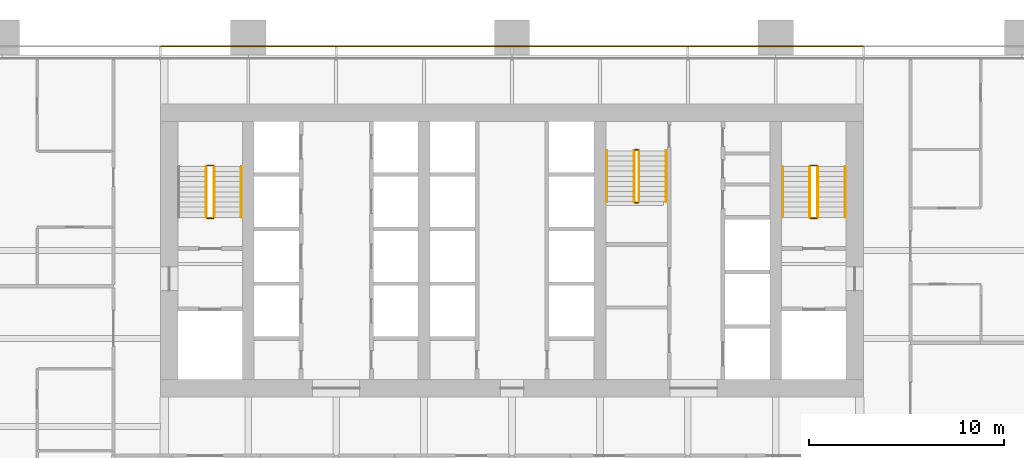
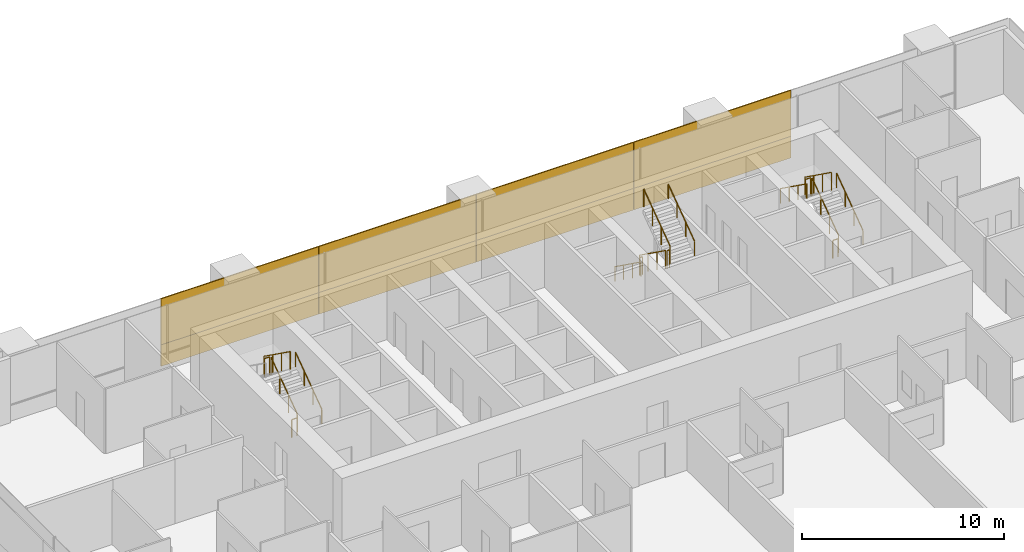
# One storey, part 19 of 20: 17 railings, 8 coverings.
"""IFC4 building model written with IfcOpenShell, lengths in metres."""

from ifc_helpers import new_model, si_unit, direction, frame, origin, origin_2d, place, context, subcontext, project, spatial, rectangle, extrude, material, layer, layer_set, type_object, element, save


model = new_model("IFC4")

# Units and contexts
model_context = context("Model", 3, precision=1e-05, world=origin(), true_north=direction((0.0, 1.0)))
body_context = subcontext(model_context, "Body", "Model", "MODEL_VIEW")
ifc_project = project(units=[si_unit("LENGTHUNIT", "METRE"), si_unit("AREAUNIT", "SQUARE_METRE"), si_unit("VOLUMEUNIT", "CUBIC_METRE"), si_unit("PLANEANGLEUNIT", "RADIAN"), si_unit("MASSUNIT", "GRAM", prefix="KILO")], contexts=[model_context])

# Site, building, storey
site_placement = place(None, origin())
site = spatial("IfcSite", under=ifc_project, at=site_placement, CompositionType="ELEMENT")
building_placement = place(site_placement, origin())
building = spatial("IfcBuilding", under=site, at=building_placement, Name="Rattan Terrace Tower", CompositionType="ELEMENT")
storey_placement = place(building_placement, frame((0.0, 0.0, 40.60009765625)))
storey = spatial("IfcBuildingStorey", under=building, at=storey_placement, Name="L08", CompositionType="ELEMENT", Elevation=40.60009765625)

# Railings
ifc_material_1 = material(Name="Powder-coated steel guard", Category="steel")
railing_type_1 = type_object("IfcRailingType", Name="Core stair guard", PredefinedType="GUARDRAIL", material=ifc_material_1)
railing_1_placement = place(storey_placement, frame((-15.25, 1.699951171875, 0.186279296875)))
element("IfcRailing", 1, at=railing_1_placement, inside=storey, type_object=railing_type_1, Name="L08 S1 stair guard 1", PredefinedType="GUARDRAIL", context=body_context, shape_type="SweptSolid", body=[
    extrude(rectangle(XDim=0.048095703125, YDim=0.048095703125, at=origin_2d()), frame((0.0, 0.0, 1.076171875), z_axis=(0.0, 0.812799059333, 0.582544152102), x_axis=(-1.0, 0.0, 0.0)), (0.0, 0.0, 1.0), 3.198974609375),
    extrude(rectangle(XDim=0.0419921875, YDim=0.0419921875, at=origin_2d()), origin(), (0.0, 0.0, 1.0), 1.052001953125),
    extrude(rectangle(XDim=0.0419921875, YDim=0.0419921875, at=origin_2d()), frame((0.0, 0.86669921875, 0.62109375)), (0.0, 0.0, 1.0), 1.052001953125),
    extrude(rectangle(XDim=0.0419921875, YDim=0.0419921875, at=origin_2d()), frame((0.0, 1.7333984375, 1.242431640625)), (0.0, 0.0, 1.0), 1.052001953125),
    extrude(rectangle(XDim=0.0419921875, YDim=0.0419921875, at=origin_2d()), frame((0.0, 2.60009765625, 1.863525390625)), (0.0, 0.0, 1.0), 1.052001953125),
])
railing_2_placement = place(storey_placement, frame((-15.300048828125, 4.35009765625, 2.0498046875)))
element("IfcRailing", 2, at=railing_2_placement, inside=storey, type_object=railing_type_1, Name="L08 S1 stair guard 2", PredefinedType="GUARDRAIL", context=body_context, shape_type="SweptSolid", body=[
    extrude(rectangle(XDim=0.048095703125, YDim=0.048095703125, at=origin_2d()), frame((0.0, 0.0, 1.076171875), z_axis=(-1.0, 0.0, 0.0), x_axis=(0.0, -1.0, 0.0)), (0.0, 0.0, 1.0), 0.300048828125),
    extrude(rectangle(XDim=0.0419921875, YDim=0.0419921875, at=origin_2d()), origin(), (0.0, 0.0, 1.0), 1.052001953125),
    extrude(rectangle(XDim=0.0419921875, YDim=0.0419921875, at=origin_2d()), frame((-0.300048828125, 0.0, 0.0)), (0.0, 0.0, 1.0), 1.052001953125),
])
railing_3_placement = place(storey_placement, frame((-15.64990234375, 4.300048828125, 2.236328125)))
element("IfcRailing", 3, at=railing_3_placement, inside=storey, type_object=railing_type_1, Name="L08 S1 stair guard 3", PredefinedType="GUARDRAIL", context=body_context, shape_type="SweptSolid", body=[
    extrude(rectangle(XDim=0.048095703125, YDim=0.048095703125, at=origin_2d()), frame((0.0, 0.0, 1.076171875), z_axis=(0.0, -0.812799059333, 0.582544152102), x_axis=(1.0, 0.0, 0.0)), (0.0, 0.0, 1.0), 3.198974609375),
    extrude(rectangle(XDim=0.0419921875, YDim=0.0419921875, at=origin_2d()), origin(), (0.0, 0.0, 1.0), 1.052001953125),
    extrude(rectangle(XDim=0.0419921875, YDim=0.0419921875, at=origin_2d()), frame((0.0, -0.86669921875, 0.62109375)), (0.0, 0.0, 1.0), 1.052001953125),
    extrude(rectangle(XDim=0.0419921875, YDim=0.0419921875, at=origin_2d()), frame((0.0, -1.7333984375, 1.242431640625)), (0.0, 0.0, 1.0), 1.052001953125),
    extrude(rectangle(XDim=0.0419921875, YDim=0.0419921875, at=origin_2d()), frame((0.0, -2.60009765625, 1.863525390625)), (0.0, 0.0, 1.0), 1.052001953125),
])
railing_4_placement = place(storey_placement, frame((-15.300048828125, 1.64990234375, 0.0)))
element("IfcRailing", 4, at=railing_4_placement, inside=storey, type_object=railing_type_1, Name="L08 S1 stair guard 4", PredefinedType="GUARDRAIL", context=body_context, shape_type="SweptSolid", body=[
    extrude(rectangle(XDim=0.048095703125, YDim=0.048095703125, at=origin_2d()), frame((0.0, 0.0, 1.076171875), z_axis=(-1.0, 0.0, 0.0), x_axis=(0.0, -1.0, 0.0)), (0.0, 0.0, 1.0), 0.300048828125),
    extrude(rectangle(XDim=0.0419921875, YDim=0.0419921875, at=origin_2d()), origin(), (0.0, 0.0, 1.0), 1.052001953125),
    extrude(rectangle(XDim=0.0419921875, YDim=0.0419921875, at=origin_2d()), frame((-0.300048828125, 0.0, 0.0)), (0.0, 0.0, 1.0), 1.052001953125),
])
railing_5_placement = place(storey_placement, frame((15.64990234375, 1.699951171875, 0.186279296875)))
element("IfcRailing", 5, at=railing_5_placement, inside=storey, type_object=railing_type_1, Name="L08 S2 stair guard 1", PredefinedType="GUARDRAIL", context=body_context, shape_type="SweptSolid", body=[
    extrude(rectangle(XDim=0.048095703125, YDim=0.048095703125, at=origin_2d()), frame((0.0, 0.0, 1.076171875), z_axis=(0.0, 0.812799059333, 0.582544152102), x_axis=(-1.0, 0.0, 0.0)), (0.0, 0.0, 1.0), 3.198974609375),
    extrude(rectangle(XDim=0.0419921875, YDim=0.0419921875, at=origin_2d()), origin(), (0.0, 0.0, 1.0), 1.052001953125),
    extrude(rectangle(XDim=0.0419921875, YDim=0.0419921875, at=origin_2d()), frame((0.0, 0.86669921875, 0.62109375)), (0.0, 0.0, 1.0), 1.052001953125),
    extrude(rectangle(XDim=0.0419921875, YDim=0.0419921875, at=origin_2d()), frame((0.0, 1.7333984375, 1.242431640625)), (0.0, 0.0, 1.0), 1.052001953125),
    extrude(rectangle(XDim=0.0419921875, YDim=0.0419921875, at=origin_2d()), frame((0.0, 2.60009765625, 1.863525390625)), (0.0, 0.0, 1.0), 1.052001953125),
])
railing_6_placement = place(storey_placement, frame((15.60009765625, 4.35009765625, 2.0498046875)))
element("IfcRailing", 6, at=railing_6_placement, inside=storey, type_object=railing_type_1, Name="L08 S2 stair guard 2", PredefinedType="GUARDRAIL", context=body_context, shape_type="SweptSolid", body=[
    extrude(rectangle(XDim=0.048095703125, YDim=0.048095703125, at=origin_2d()), frame((0.0, 0.0, 1.076171875), z_axis=(-1.0, 0.0, 0.0), x_axis=(0.0, -1.0, 0.0)), (0.0, 0.0, 1.0), 0.300048828125),
    extrude(rectangle(XDim=0.0419921875, YDim=0.0419921875, at=origin_2d()), origin(), (0.0, 0.0, 1.0), 1.052001953125),
    extrude(rectangle(XDim=0.0419921875, YDim=0.0419921875, at=origin_2d()), frame((-0.300048828125, 0.0, 0.0)), (0.0, 0.0, 1.0), 1.052001953125),
])
railing_7_placement = place(storey_placement, frame((15.25, 4.300048828125, 2.236328125)))
element("IfcRailing", 7, at=railing_7_placement, inside=storey, type_object=railing_type_1, Name="L08 S2 stair guard 3", PredefinedType="GUARDRAIL", context=body_context, shape_type="SweptSolid", body=[
    extrude(rectangle(XDim=0.048095703125, YDim=0.048095703125, at=origin_2d()), frame((0.0, 0.0, 1.076171875), z_axis=(0.0, -0.812799059333, 0.582544152102), x_axis=(1.0, 0.0, 0.0)), (0.0, 0.0, 1.0), 3.198974609375),
    extrude(rectangle(XDim=0.0419921875, YDim=0.0419921875, at=origin_2d()), origin(), (0.0, 0.0, 1.0), 1.052001953125),
    extrude(rectangle(XDim=0.0419921875, YDim=0.0419921875, at=origin_2d()), frame((0.0, -0.86669921875, 0.62109375)), (0.0, 0.0, 1.0), 1.052001953125),
    extrude(rectangle(XDim=0.0419921875, YDim=0.0419921875, at=origin_2d()), frame((0.0, -1.7333984375, 1.242431640625)), (0.0, 0.0, 1.0), 1.052001953125),
    extrude(rectangle(XDim=0.0419921875, YDim=0.0419921875, at=origin_2d()), frame((0.0, -2.60009765625, 1.863525390625)), (0.0, 0.0, 1.0), 1.052001953125),
])
railing_8_placement = place(storey_placement, frame((15.60009765625, 1.64990234375, 0.0)))
element("IfcRailing", 8, at=railing_8_placement, inside=storey, type_object=railing_type_1, Name="L08 S2 stair guard 4", PredefinedType="GUARDRAIL", context=body_context, shape_type="SweptSolid", body=[
    extrude(rectangle(XDim=0.048095703125, YDim=0.048095703125, at=origin_2d()), frame((0.0, 0.0, 1.076171875), z_axis=(-1.0, 0.0, 0.0), x_axis=(0.0, -1.0, 0.0)), (0.0, 0.0, 1.0), 0.300048828125),
    extrude(rectangle(XDim=0.0419921875, YDim=0.0419921875, at=origin_2d()), origin(), (0.0, 0.0, 1.0), 1.052001953125),
    extrude(rectangle(XDim=0.0419921875, YDim=0.0419921875, at=origin_2d()), frame((-0.300048828125, 0.0, 0.0)), (0.0, 0.0, 1.0), 1.052001953125),
])
railing_9_placement = place(storey_placement, frame((6.25, 5.10009765625, 0.186279296875)))
element("IfcRailing", 9, at=railing_9_placement, inside=storey, type_object=railing_type_1, Name="L08 S3 stair guard 1", PredefinedType="GUARDRAIL", context=body_context, shape_type="SweptSolid", body=[
    extrude(rectangle(XDim=0.048095703125, YDim=0.048095703125, at=origin_2d()), frame((0.0, 0.0, 1.076171875), z_axis=(0.0, -0.812799059333, 0.582544152102), x_axis=(1.0, 0.0, 0.0)), (0.0, 0.0, 1.0), 3.198974609375),
    extrude(rectangle(XDim=0.0419921875, YDim=0.0419921875, at=origin_2d()), origin(), (0.0, 0.0, 1.0), 1.052001953125),
    extrude(rectangle(XDim=0.0419921875, YDim=0.0419921875, at=origin_2d()), frame((0.0, -0.86669921875, 0.62109375)), (0.0, 0.0, 1.0), 1.052001953125),
    extrude(rectangle(XDim=0.0419921875, YDim=0.0419921875, at=origin_2d()), frame((0.0, -1.7333984375, 1.242431640625)), (0.0, 0.0, 1.0), 1.052001953125),
    extrude(rectangle(XDim=0.0419921875, YDim=0.0419921875, at=origin_2d()), frame((0.0, -2.60009765625, 1.863525390625)), (0.0, 0.0, 1.0), 1.052001953125),
])
railing_10_placement = place(storey_placement, frame((6.300048828125, 2.449951171875, 2.0498046875)))
element("IfcRailing", 10, at=railing_10_placement, inside=storey, type_object=railing_type_1, Name="L08 S3 stair guard 2", PredefinedType="GUARDRAIL", context=body_context, shape_type="SweptSolid", body=[
    extrude(rectangle(XDim=0.048095703125, YDim=0.048095703125, at=origin_2d()), frame((0.0, 0.0, 1.076171875), z_axis=(1.0, 0.0, 0.0), x_axis=(0.0, 1.0, 0.0)), (0.0, 0.0, 1.0), 0.14990234375),
    extrude(rectangle(XDim=0.0419921875, YDim=0.0419921875, at=origin_2d()), origin(), (0.0, 0.0, 1.0), 1.052001953125),
    extrude(rectangle(XDim=0.0419921875, YDim=0.0419921875, at=origin_2d()), frame((0.14990234375, 0.0, 0.0)), (0.0, 0.0, 1.0), 1.052001953125),
])
railing_11_placement = place(storey_placement, frame((6.5, 2.5, 2.236328125)))
element("IfcRailing", 11, at=railing_11_placement, inside=storey, type_object=railing_type_1, Name="L08 S3 stair guard 3", PredefinedType="GUARDRAIL", context=body_context, shape_type="SweptSolid", body=[
    extrude(rectangle(XDim=0.048095703125, YDim=0.048095703125, at=origin_2d()), frame((0.0, 0.0, 1.076171875), z_axis=(0.0, 0.812799059333, 0.582544152102), x_axis=(-1.0, 0.0, 0.0)), (0.0, 0.0, 1.0), 3.198974609375),
    extrude(rectangle(XDim=0.0419921875, YDim=0.0419921875, at=origin_2d()), origin(), (0.0, 0.0, 1.0), 1.052001953125),
    extrude(rectangle(XDim=0.0419921875, YDim=0.0419921875, at=origin_2d()), frame((0.0, 0.86669921875, 0.62109375)), (0.0, 0.0, 1.0), 1.052001953125),
    extrude(rectangle(XDim=0.0419921875, YDim=0.0419921875, at=origin_2d()), frame((0.0, 1.7333984375, 1.242431640625)), (0.0, 0.0, 1.0), 1.052001953125),
    extrude(rectangle(XDim=0.0419921875, YDim=0.0419921875, at=origin_2d()), frame((0.0, 2.60009765625, 1.863525390625)), (0.0, 0.0, 1.0), 1.052001953125),
])
railing_12_placement = place(storey_placement, frame((6.300048828125, 5.14990234375, 0.0)))
element("IfcRailing", 12, at=railing_12_placement, inside=storey, type_object=railing_type_1, Name="L08 S3 stair guard 4", PredefinedType="GUARDRAIL", context=body_context, shape_type="SweptSolid", body=[
    extrude(rectangle(XDim=0.048095703125, YDim=0.048095703125, at=origin_2d()), frame((0.0, 0.0, 1.076171875), z_axis=(1.0, 0.0, 0.0), x_axis=(0.0, 1.0, 0.0)), (0.0, 0.0, 1.0), 0.14990234375),
    extrude(rectangle(XDim=0.0419921875, YDim=0.0419921875, at=origin_2d()), origin(), (0.0, 0.0, 1.0), 1.052001953125),
    extrude(rectangle(XDim=0.0419921875, YDim=0.0419921875, at=origin_2d()), frame((0.14990234375, 0.0, 0.0)), (0.0, 0.0, 1.0), 1.052001953125),
])
ifc_material_2 = material(Name="Powder-coated steel handrail", Category="steel")
railing_type_2 = type_object("IfcRailingType", Name="Core stair handrail", PredefinedType="HANDRAIL", material=ifc_material_2)
for number, where, name in (
    (13, (-13.85009765625, 1.699951171875, 0.186279296875), "L08 S1 stair handrail 1"),
    (14, (17.050048828125, 1.699951171875, 0.186279296875), "L08 S2 stair handrail 1"),
):
    element("IfcRailing", number, at=place(storey_placement, frame(where)), inside=storey, type_object=railing_type_2, Name=name, PredefinedType="HANDRAIL", context=body_context, shape_type="SweptSolid", body=[
        extrude(rectangle(XDim=0.048095703125, YDim=0.048095703125, at=origin_2d()), frame((0.0, 0.0, 0.8759765625), z_axis=(0.0, 0.812799059333, 0.582544152102), x_axis=(-1.0, 0.0, 0.0)), (0.0, 0.0, 1.0), 3.198974609375),
        extrude(rectangle(XDim=0.0419921875, YDim=0.0419921875, at=origin_2d()), origin(), (0.0, 0.0, 1.0), 0.851806640625),
        extrude(rectangle(XDim=0.0419921875, YDim=0.0419921875, at=origin_2d()), frame((0.0, 0.86669921875, 0.62109375)), (0.0, 0.0, 1.0), 0.851806640625),
        extrude(rectangle(XDim=0.0419921875, YDim=0.0419921875, at=origin_2d()), frame((0.0, 1.7333984375, 1.242431640625)), (0.0, 0.0, 1.0), 0.851806640625),
        extrude(rectangle(XDim=0.0419921875, YDim=0.0419921875, at=origin_2d()), frame((0.0, 2.60009765625, 1.863525390625)), (0.0, 0.0, 1.0), 0.851806640625),
    ])
for number, where, name in (
    (15, (13.85009765625, 4.300048828125, 2.236328125), "L08 S2 stair handrail 2"),
    (16, (4.85009765625, 5.10009765625, 0.186279296875), "L08 S3 stair handrail 1"),
):
    element("IfcRailing", number, at=place(storey_placement, frame(where)), inside=storey, type_object=railing_type_2, Name=name, PredefinedType="HANDRAIL", context=body_context, shape_type="SweptSolid", body=[
        extrude(rectangle(XDim=0.048095703125, YDim=0.048095703125, at=origin_2d()), frame((0.0, 0.0, 0.8759765625), z_axis=(0.0, -0.812799059333, 0.582544152102), x_axis=(1.0, 0.0, 0.0)), (0.0, 0.0, 1.0), 3.198974609375),
        extrude(rectangle(XDim=0.0419921875, YDim=0.0419921875, at=origin_2d()), origin(), (0.0, 0.0, 1.0), 0.851806640625),
        extrude(rectangle(XDim=0.0419921875, YDim=0.0419921875, at=origin_2d()), frame((0.0, -0.86669921875, 0.62109375)), (0.0, 0.0, 1.0), 0.851806640625),
        extrude(rectangle(XDim=0.0419921875, YDim=0.0419921875, at=origin_2d()), frame((0.0, -1.7333984375, 1.242431640625)), (0.0, 0.0, 1.0), 0.851806640625),
        extrude(rectangle(XDim=0.0419921875, YDim=0.0419921875, at=origin_2d()), frame((0.0, -2.60009765625, 1.863525390625)), (0.0, 0.0, 1.0), 0.851806640625),
    ])
railing_13_placement = place(storey_placement, frame((7.89990234375, 2.5, 2.236328125)))
element("IfcRailing", 17, at=railing_13_placement, inside=storey, type_object=railing_type_2, Name="L08 S3 stair handrail 2", PredefinedType="HANDRAIL", context=body_context, shape_type="SweptSolid", body=[
    extrude(rectangle(XDim=0.048095703125, YDim=0.048095703125, at=origin_2d()), frame((0.0, 0.0, 0.8759765625), z_axis=(0.0, 0.812799059333, 0.582544152102), x_axis=(-1.0, 0.0, 0.0)), (0.0, 0.0, 1.0), 3.198974609375),
    extrude(rectangle(XDim=0.0419921875, YDim=0.0419921875, at=origin_2d()), origin(), (0.0, 0.0, 1.0), 0.851806640625),
    extrude(rectangle(XDim=0.0419921875, YDim=0.0419921875, at=origin_2d()), frame((0.0, 0.86669921875, 0.62109375)), (0.0, 0.0, 1.0), 0.851806640625),
    extrude(rectangle(XDim=0.0419921875, YDim=0.0419921875, at=origin_2d()), frame((0.0, 1.7333984375, 1.242431640625)), (0.0, 0.0, 1.0), 0.851806640625),
    extrude(rectangle(XDim=0.0419921875, YDim=0.0419921875, at=origin_2d()), frame((0.0, 2.60009765625, 1.863525390625)), (0.0, 0.0, 1.0), 0.851806640625),
])

# Coverings
ifc_material_3 = material(Name="Solid terracotta", Category="masonry")
ifc_layer_1 = layer(ifc_material_3, 0.06005859375)
ifc_layer_set_1 = layer_set([ifc_layer_1], Name="Facade Terracotta Band Panel")
covering_type_1 = type_object("IfcCoveringType", Name="Facade Terracotta Band Panel", PredefinedType="CLADDING", material=ifc_layer_set_1)
for number, where, z_axis, x_axis, name in (
    (18, (13.5, 10.449951171875, -0.18994140625), (0.0, 0.0, 1.0), (-1.0, 0.0, 0.0), "OUTER SKIN panel L08-16A"),
    (19, (4.5, 10.449951171875, -0.18994140625), (0.0, 0.0, 1.0), (-1.0, 0.0, 0.0), "OUTER SKIN panel L08-17A"),
    (20, (-4.5, 10.449951171875, -0.18994140625), (0.0, 0.0, 1.0), (-1.0, 0.0, 0.0), "OUTER SKIN panel L08-18A"),
    (21, (-13.5, 10.449951171875, -0.18994140625), (0.0, 0.0, 1.0), (-1.0, 0.0, 0.0), "OUTER SKIN panel L08-19A"),
):
    element("IfcCovering", number, at=place(storey_placement, frame(where, z_axis=z_axis, x_axis=x_axis)), inside=storey, type_object=covering_type_1, Name=name, PredefinedType="CLADDING", context=body_context, shape_type="SweptSolid", body=[
        extrude(rectangle(XDim=8.97998046875, YDim=0.06005859375, at=origin_2d()), origin(), (0.0, 0.0, 1.0), 1.300048828125),
    ])
ifc_material_4 = material(Name="Perforated terracotta", Category="masonry")
ifc_layer_2 = layer(ifc_material_4, 0.06005859375)
ifc_layer_set_2 = layer_set([ifc_layer_2], Name="Facade Terracotta Screen Panel")
covering_type_2 = type_object("IfcCoveringType", Name="Facade Terracotta Screen Panel", PredefinedType="CLADDING", material=ifc_layer_set_2)
for number, where, z_axis, x_axis, name in (
    (22, (13.5, 10.449951171875, 1.10986328125), (0.0, 0.0, 1.0), (-1.0, 0.0, 0.0), "OUTER SKIN panel L08-16B"),
    (23, (4.5, 10.449951171875, 1.10986328125), (0.0, 0.0, 1.0), (-1.0, 0.0, 0.0), "OUTER SKIN panel L08-17B"),
    (24, (-4.5, 10.449951171875, 1.10986328125), (0.0, 0.0, 1.0), (-1.0, 0.0, 0.0), "OUTER SKIN panel L08-18B"),
    (25, (-13.5, 10.449951171875, 1.10986328125), (0.0, 0.0, 1.0), (-1.0, 0.0, 0.0), "OUTER SKIN panel L08-19B"),
):
    element("IfcCovering", number, at=place(storey_placement, frame(where, z_axis=z_axis, x_axis=x_axis)), inside=storey, type_object=covering_type_2, Name=name, PredefinedType="CLADDING", context=body_context, shape_type="SweptSolid", body=[
        extrude(rectangle(XDim=8.97998046875, YDim=0.06005859375, at=origin_2d()), origin(), (0.0, 0.0, 1.0), 2.780029296875),
    ])

save(model, "model.ifc")
